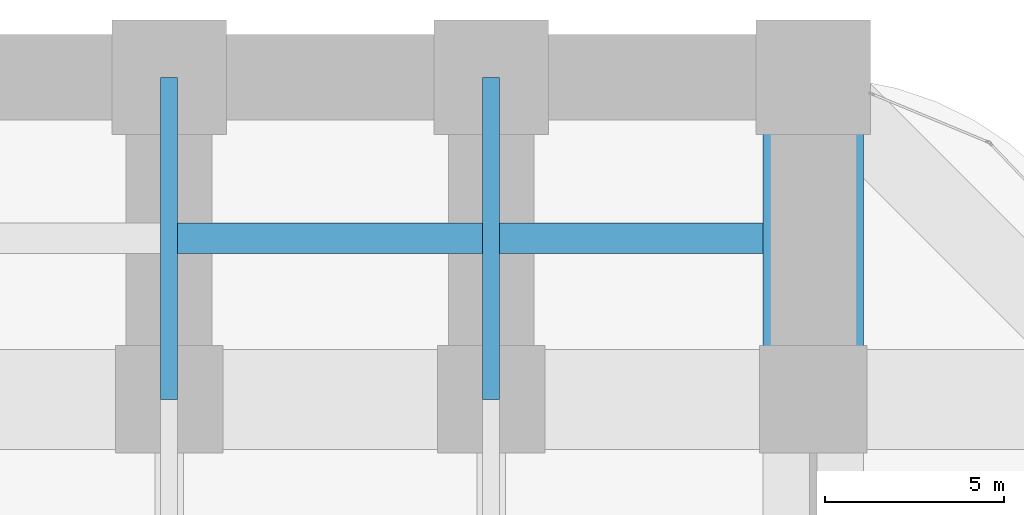
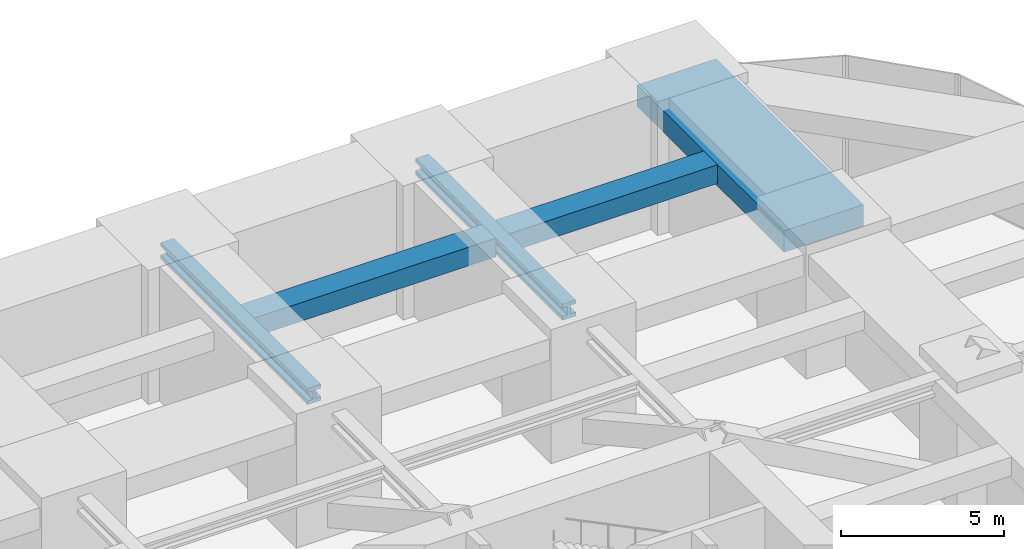
# One storey, part 28 of 35: 5 beams.
"""IFC4 building model written with IfcOpenShell, lengths in metres."""

from ifc_helpers import new_model, si_unit, direction, frame, origin, origin_2d, place, context, subcontext, project, spatial, rectangle, i_section, extrude, material, material_profile, profile_set, type_object, element, save


model = new_model("IFC4")

# Units and contexts
model_context = context("Model", 3, precision=1e-05, world=origin(), true_north=direction((0.0, 1.0)))
body_context = subcontext(model_context, "Body", "Model", "MODEL_VIEW")
ifc_project = project(units=[si_unit("LENGTHUNIT", "METRE"), si_unit("AREAUNIT", "SQUARE_METRE"), si_unit("VOLUMEUNIT", "CUBIC_METRE"), si_unit("PLANEANGLEUNIT", "RADIAN"), si_unit("MASSUNIT", "GRAM", prefix="KILO")], contexts=[model_context])

# Site, building, storey
site_placement = place(None, origin())
site = spatial("IfcSite", under=ifc_project, at=site_placement, CompositionType="ELEMENT")
building_placement = place(site_placement, origin())
building = spatial("IfcBuilding", under=site, at=building_placement, Name="Zorevar Civic Tower", CompositionType="ELEMENT")
storey_placement = place(building_placement, frame((0.0, 0.0, 80.0)))
storey = spatial("IfcBuildingStorey", under=building, at=storey_placement, Name="L19", CompositionType="ELEMENT", Elevation=80.0)

# Beams
ifc_material_1 = material(Name="Concrete C50/60", Category="concrete")
ifc_material_profile_1 = material_profile(ifc_material_1, rectangle(XDim=2.800048828125, YDim=0.800048828125, at=origin_2d()), Name="RC 2800x800")
ifc_profile_set_1 = profile_set([ifc_material_profile_1], Name="Concrete C50/60")
beam_type_1 = type_object("IfcBeamType", Name="Beam RC 2800x800", PredefinedType="BEAM", material=ifc_profile_set_1)
beam_1_placement = place(storey_placement, frame((54.0, 45.0, 4.199951171875), z_axis=(0.0, 1.0, 0.0), x_axis=(-1.0, 0.0, 0.0)))
element("IfcBeam", 1, at=beam_1_placement, inside=storey, type_object=beam_type_1, Name="Girder L20", PredefinedType="BEAM", context=body_context, shape_type="SweptSolid", body=[
    extrude(rectangle(XDim=2.800048828125, YDim=0.800048828125, at=origin_2d()), origin(), (0.0, 0.0, 1.0), 9.0),
])
ifc_material_2 = material(Name="Concrete C50/60", Category="concrete")
ifc_material_profile_2 = material_profile(ifc_material_2, rectangle(XDim=0.85009765625, YDim=0.699951171875, at=origin_2d()), Name="RC 850x700")
ifc_profile_set_2 = profile_set([ifc_material_profile_2], Name="Concrete C50/60")
beam_type_2 = type_object("IfcBeamType", Name="Beam RC 850x700", PredefinedType="BEAM", material=ifc_profile_set_2)
beam_2_placement = place(storey_placement, frame((36.238037109375, 49.5, 4.25), z_axis=(1.0, 0.0, 0.0), x_axis=(0.0, 1.0, 0.0)))
element("IfcBeam", 2, at=beam_2_placement, inside=storey, type_object=beam_type_2, Name="Secondary beam L20", PredefinedType="BEAM", context=body_context, shape_type="SweptSolid", body=[
    extrude(rectangle(XDim=0.85009765625, YDim=0.699951171875, at=origin_2d()), origin(), (0.0, 0.0, 1.0), 8.52392578125),
])
beam_3_placement = place(storey_placement, frame((45.238037109375, 49.5, 4.25), z_axis=(1.0, 0.0, 0.0), x_axis=(0.0, 1.0, 0.0)))
element("IfcBeam", 3, at=beam_3_placement, inside=storey, type_object=beam_type_2, Name="Secondary beam L20", PredefinedType="BEAM", context=body_context, shape_type="SweptSolid", body=[
    extrude(rectangle(XDim=0.85009765625, YDim=0.699951171875, at=origin_2d()), origin(), (0.0, 0.0, 1.0), 7.362060546875),
])
ifc_material_3 = material(Name="Steel S460M (HISTAR 460)", Category="steel")
ifc_material_profile_3 = material_profile(ifc_material_3, i_section(OverallWidth=0.47607421875, OverallDepth=0.60009765625, WebThickness=0.10009765625, FlangeThickness=0.139892578125, FilletRadius=0.014892578125, at=origin_2d()), Name="HD 400x1299")
ifc_profile_set_3 = profile_set([ifc_material_profile_3], Name="Steel S460M (HISTAR 460)")
beam_type_3 = type_object("IfcBeamType", Name="Outrigger chord HD 400x1299", PredefinedType="BEAM", material=ifc_profile_set_3)
for number, where, z_axis, x_axis, name in (
    (4, (36.0, 45.0, 4.300048828125), (0.0, 1.0, 0.0), (-1.0, 0.0, 0.0), "Outrigger chord L20"),
    (5, (45.0, 45.0, 4.300048828125), (0.0, 1.0, 0.0), (-1.0, 0.0, 0.0), "Outrigger chord L20"),
):
    element("IfcBeam", number, at=place(storey_placement, frame(where, z_axis=z_axis, x_axis=x_axis)), inside=storey, type_object=beam_type_3, Name=name, PredefinedType="BEAM", context=body_context, shape_type="SweptSolid", body=[
        extrude(i_section(OverallWidth=0.47607421875, OverallDepth=0.60009765625, WebThickness=0.10009765625, FlangeThickness=0.139892578125, FilletRadius=0.014892578125, at=origin_2d()), origin(), (0.0, 0.0, 1.0), 9.0),
    ])

save(model, "model.ifc")
